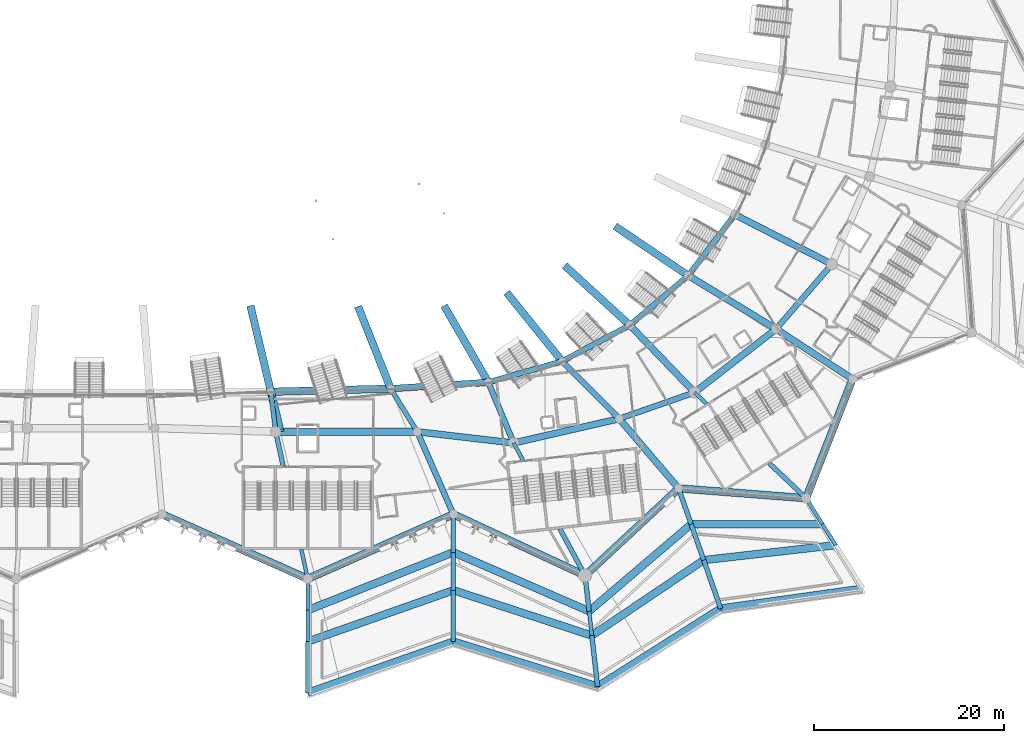
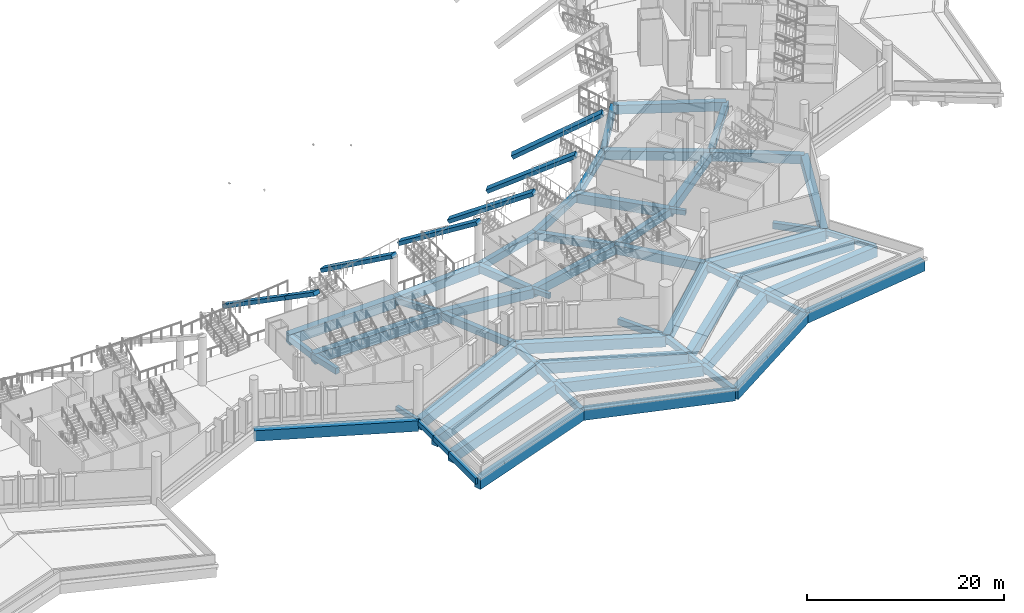
# One storey, part 12 of 173: 67 beams.
"""IFC4 building model written with IfcOpenShell, lengths in metres."""

from ifc_helpers import new_model, si_unit, direction, frame, origin, origin_2d, place, context, subcontext, project, spatial, rectangle, extrude, material, material_profile, profile_set, type_object, element, save


model = new_model("IFC4")

# Units and contexts
model_context = context("Model", 3, precision=1e-05, world=origin(), true_north=direction((0.0, 1.0)))
body_context = subcontext(model_context, "Body", "Model", "MODEL_VIEW")
ifc_project = project(units=[si_unit("LENGTHUNIT", "METRE"), si_unit("AREAUNIT", "SQUARE_METRE"), si_unit("VOLUMEUNIT", "CUBIC_METRE"), si_unit("PLANEANGLEUNIT", "RADIAN"), si_unit("MASSUNIT", "GRAM", prefix="KILO")], contexts=[model_context])

# Site, building, storey
site_placement = place(None, origin())
site = spatial("IfcSite", under=ifc_project, at=site_placement, CompositionType="ELEMENT")
building_placement = place(site_placement, origin())
building = spatial("IfcBuilding", under=site, at=building_placement, Name="Meseta Stadium", CompositionType="ELEMENT")
storey_placement = place(building_placement, frame((0.0, 0.0, 18.0)))
storey = spatial("IfcBuildingStorey", under=building, at=storey_placement, Name="L03", CompositionType="ELEMENT", Elevation=18.0)

# Beams
ifc_material_1 = material(Name="Concrete C40/50", Category="concrete")
ifc_material_profile_1 = material_profile(ifc_material_1, rectangle(XDim=0.39990234375, YDim=0.60009765625, at=origin_2d()), Name="RC 400x600")
ifc_profile_set_1 = profile_set([ifc_material_profile_1], Name="Concrete C40/50")
beam_type_1 = type_object("IfcBeamType", Name="RC beam 400x600", PredefinedType="BEAM", material=ifc_profile_set_1)
beam_1_placement = place(storey_placement, frame((22.3251953125, -102.300048828125, -0.64990234375), z_axis=(0.212707595725, -0.977115898305, 0.0), x_axis=(0.977115898305, 0.212707595725, 0.0)))
element("IfcBeam", 1, at=beam_1_placement, inside=storey, type_object=beam_type_1, Name="L03 radial beam frame 48 line P to R", PredefinedType="BEAM", context=body_context, shape_type="SweptSolid", body=[
    extrude(rectangle(XDim=0.39990234375, YDim=0.60009765625, at=origin_2d()), origin(), (0.0, 0.0, 1.0), 3.17236328125),
])
beam_2_placement = place(storey_placement, frame((44.6826171875, -91.0908203125, -0.64990234375), z_axis=(0.474170370951, -0.880433108937, 0.0), x_axis=(0.880433108937, 0.474170370951, 0.0)))
element("IfcBeam", 2, at=beam_2_placement, inside=storey, type_object=beam_type_1, Name="L03 radial beam frame 50 line P to R", PredefinedType="BEAM", context=body_context, shape_type="SweptSolid", body=[
    extrude(rectangle(XDim=0.39990234375, YDim=0.60009765625, at=origin_2d()), origin(), (0.0, 0.0, 1.0), 2.063720703125),
])
beam_3_placement = place(storey_placement, frame((63.731201171875, -85.77099609375, -0.64990234375), z_axis=(0.725600801439, -0.688115889187, 0.0), x_axis=(0.688115889187, 0.725600801439, 0.0)))
element("IfcBeam", 3, at=beam_3_placement, inside=storey, type_object=beam_type_1, Name="L03 radial beam frame 52 line P to R", PredefinedType="BEAM", context=body_context, shape_type="SweptSolid", body=[
    extrude(rectangle(XDim=0.39990234375, YDim=0.60009765625, at=origin_2d()), origin(), (0.0, 0.0, 1.0), 1.732421875),
])
for number, where, z_axis, x_axis, name in (
    (4, (23.0, -105.39990234375, -0.699951171875), (0.0, -1.0, 0.0), (1.0, 0.0, 0.0), "L03 radial beam frame 48 line R to M"),
    (5, (23.0, -108.699951171875, -0.699951171875), (0.0, -1.0, 0.0), (1.0, 0.0, 0.0), "L03 radial beam frame 48 line M to Q"),
):
    element("IfcBeam", number, at=place(storey_placement, frame(where, z_axis=z_axis, x_axis=x_axis)), inside=storey, type_object=beam_type_1, Name=name, PredefinedType="BEAM", context=body_context, shape_type="SweptSolid", body=[
        extrude(rectangle(XDim=0.39990234375, YDim=0.60009765625, at=origin_2d()), origin(), (0.0, 0.0, 1.0), 3.300048828125),
    ])
beam_4_placement = place(storey_placement, frame((52.626220703125, -108.80810546875, -0.699951171875), z_axis=(0.111926742176, -0.99371646076, 0.0), x_axis=(0.99371646076, 0.111926742176, 0.0)))
element("IfcBeam", 6, at=beam_4_placement, inside=storey, type_object=beam_type_1, Name="L03 radial beam frame 50 line M to Q", PredefinedType="BEAM", context=body_context, shape_type="SweptSolid", body=[
    extrude(rectangle(XDim=0.39990234375, YDim=0.60009765625, at=origin_2d()), origin(), (0.0, 0.0, 1.0), 2.580322265625),
])
beam_5_placement = place(storey_placement, frame((75.474609375, -96.908447265625, -0.699951171875), z_axis=(0.532008453304, -0.846739042216, 0.0), x_axis=(0.846739042216, 0.532008453304, 0.0)))
element("IfcBeam", 7, at=beam_5_placement, inside=storey, type_object=beam_type_1, Name="L03 radial beam frame 52 line R to M", PredefinedType="BEAM", context=body_context, shape_type="SweptSolid", body=[
    extrude(rectangle(XDim=0.39990234375, YDim=0.60009765625, at=origin_2d()), origin(), (0.0, 0.0, 1.0), 3.21923828125),
])
beam_6_placement = place(storey_placement, frame((77.187255859375, -99.63427734375, -0.699951171875), z_axis=(0.532083725107, -0.84669174407, 0.0), x_axis=(0.84669174407, 0.532083725107, 0.0)))
element("IfcBeam", 8, at=beam_6_placement, inside=storey, type_object=beam_type_1, Name="L03 radial beam frame 52 line M to Q", PredefinedType="BEAM", context=body_context, shape_type="SweptSolid", body=[
    extrude(rectangle(XDim=0.39990234375, YDim=0.60009765625, at=origin_2d()), origin(), (0.0, 0.0, 1.0), 2.619140625),
])
ifc_material_2 = material(Name="Concrete C40/50", Category="concrete")
ifc_material_profile_2 = material_profile(ifc_material_2, rectangle(XDim=0.5, YDim=0.75, at=origin_2d()), Name="RC 500x750")
ifc_profile_set_2 = profile_set([ifc_material_profile_2], Name="Concrete C40/50")
beam_type_2 = type_object("IfcBeamType", Name="RC beam 500x750", PredefinedType="BEAM", material=ifc_profile_set_2)
beam_7_placement = place(storey_placement, frame((19.11865234375, -85.6982421875, -0.72509765625), z_axis=(0.120104176055, -0.992761294015, 0.0), x_axis=(0.992761294015, 0.120104176055, 0.0)))
element("IfcBeam", 9, at=beam_7_placement, inside=storey, type_object=beam_type_2, Name="L03 radial beam frame 48 line E to P", PredefinedType="BEAM", context=body_context, shape_type="SweptSolid", body=[
    extrude(rectangle(XDim=0.5, YDim=0.75, at=origin_2d()), origin(), (0.0, 0.0, 1.0), 4.236328125),
])
beam_8_placement = place(storey_placement, frame((19.62744140625, -89.90380859375, -0.72509765625), z_axis=(0.212671990307, -0.977123648541, 0.0), x_axis=(0.977123648541, 0.212671990307, 0.0)))
element("IfcBeam", 10, at=beam_8_placement, inside=storey, type_object=beam_type_2, Name="L03 radial beam frame 48 line P to R", PredefinedType="BEAM", context=body_context, shape_type="SweptSolid", body=[
    extrude(rectangle(XDim=0.5, YDim=0.75, at=origin_2d()), origin(), (0.0, 0.0, 1.0), 3.680419921875),
])
beam_9_placement = place(storey_placement, frame((31.73681640625, -85.376708984375, -0.72509765625), z_axis=(0.52451674702, -0.85140013043, 0.0), x_axis=(0.85140013043, 0.52451674702, 0.0)))
element("IfcBeam", 11, at=beam_9_placement, inside=storey, type_object=beam_type_2, Name="L03 radial beam frame 49 line E to P", PredefinedType="BEAM", context=body_context, shape_type="SweptSolid", body=[
    extrude(rectangle(XDim=0.5, YDim=0.75, at=origin_2d()), origin(), (0.0, 0.0, 1.0), 5.32666015625),
])
beam_10_placement = place(storey_placement, frame((49.54541015625, -100.1181640625, -0.72509765625), z_axis=(0.474227121741, -0.880402542594, 0.0), x_axis=(0.880402542594, 0.474227121741, 0.0)))
element("IfcBeam", 12, at=beam_10_placement, inside=storey, type_object=beam_type_2, Name="L03 radial beam frame 50 line P to R", PredefinedType="BEAM", context=body_context, shape_type="SweptSolid", body=[
    extrude(rectangle(XDim=0.5, YDim=0.75, at=origin_2d()), origin(), (0.0, 0.0, 1.0), 5.603759765625),
])
beam_11_placement = place(storey_placement, frame((71.57958984375, -93.214599609375, -0.72509765625), z_axis=(0.725596444109, -0.688120483852, 0.0), x_axis=(0.688120483852, 0.725596444109, 0.0)))
element("IfcBeam", 13, at=beam_11_placement, inside=storey, type_object=beam_type_2, Name="L03 radial beam frame 52 line P to R", PredefinedType="BEAM", context=body_context, shape_type="SweptSolid", body=[
    extrude(rectangle(XDim=0.5, YDim=0.75, at=origin_2d()), origin(), (0.0, 0.0, 1.0), 5.367919921875),
])
beam_12_placement = place(storey_placement, frame((23.0, -112.0, -0.77490234375), z_axis=(0.0, -1.0, 0.0), x_axis=(1.0, 0.0, 0.0)))
element("IfcBeam", 14, at=beam_12_placement, inside=storey, type_object=beam_type_2, Name="L03 radial beam frame 48 line Q to O", PredefinedType="BEAM", context=body_context, shape_type="SweptSolid", body=[
    extrude(rectangle(XDim=0.5, YDim=0.75, at=origin_2d()), origin(), (0.0, 0.0, 1.0), 5.39990234375),
])
for number, where, z_axis, x_axis, name in (
    (15, (38.333251953125, -98.60009765625, -0.77490234375), (0.0, -1.0, 0.0), (1.0, 0.0, 0.0), "L03 radial beam frame 49 line R to M"),
    (16, (38.333251953125, -102.60009765625, -0.77490234375), (0.0, -1.0, 0.0), (1.0, 0.0, 0.0), "L03 radial beam frame 49 line M to Q"),
):
    element("IfcBeam", number, at=place(storey_placement, frame(where, z_axis=z_axis, x_axis=x_axis)), inside=storey, type_object=beam_type_2, Name=name, PredefinedType="BEAM", context=body_context, shape_type="SweptSolid", body=[
        extrude(rectangle(XDim=0.5, YDim=0.75, at=origin_2d()), origin(), (0.0, 0.0, 1.0), 4.0),
    ])
beam_13_placement = place(storey_placement, frame((38.333251953125, -106.60009765625, -0.77490234375), z_axis=(0.0, -1.0, 0.0), x_axis=(1.0, 0.0, 0.0)))
element("IfcBeam", 17, at=beam_13_placement, inside=storey, type_object=beam_type_2, Name="L03 radial beam frame 49 line Q to O", PredefinedType="BEAM", context=body_context, shape_type="SweptSolid", body=[
    extrude(rectangle(XDim=0.5, YDim=0.75, at=origin_2d()), origin(), (0.0, 0.0, 1.0), 5.39990234375),
])
beam_14_placement = place(storey_placement, frame((52.202880859375, -105.0517578125, -0.77490234375), z_axis=(0.111990888536, -0.993709233571, 0.0), x_axis=(0.993709233571, 0.111990888536, 0.0)))
element("IfcBeam", 18, at=beam_14_placement, inside=storey, type_object=beam_type_2, Name="L03 radial beam frame 50 line R to M", PredefinedType="BEAM", context=body_context, shape_type="SweptSolid", body=[
    extrude(rectangle(XDim=0.5, YDim=0.75, at=origin_2d()), origin(), (0.0, 0.0, 1.0), 3.780029296875),
])
beam_15_placement = place(storey_placement, frame((52.9150390625, -111.372314453125, -0.77490234375), z_axis=(0.111944897098, -0.993714415722, 0.0), x_axis=(0.993714415722, 0.111944897098, 0.0)))
element("IfcBeam", 19, at=beam_15_placement, inside=storey, type_object=beam_type_2, Name="L03 radial beam frame 50 line Q to O", PredefinedType="BEAM", context=body_context, shape_type="SweptSolid", body=[
    extrude(rectangle(XDim=0.5, YDim=0.75, at=origin_2d()), origin(), (0.0, 0.0, 1.0), 5.39990234375),
])
for number, where, z_axis, x_axis, name in (
    (20, (62.051513671875, -95.872802734375, -0.77490234375), (0.330328674497, -0.943865968666, 0.0), (0.943865968666, 0.330328674497, 0.0), "L03 radial beam frame 51 line R to M"),
    (21, (63.372802734375, -99.648193359375, -0.77490234375), (0.330255269735, -0.94389165523, 0.0), (0.94389165523, 0.330255269735, 0.0), "L03 radial beam frame 51 line M to Q"),
):
    element("IfcBeam", number, at=place(storey_placement, frame(where, z_axis=z_axis, x_axis=x_axis)), inside=storey, type_object=beam_type_2, Name=name, PredefinedType="BEAM", context=body_context, shape_type="SweptSolid", body=[
        extrude(rectangle(XDim=0.5, YDim=0.75, at=origin_2d()), origin(), (0.0, 0.0, 1.0), 4.0),
    ])
beam_16_placement = place(storey_placement, frame((64.69384765625, -103.423828125, -0.77490234375), z_axis=(0.330271882003, -0.943885842652, 0.0), x_axis=(0.943885842652, 0.330271882003, 0.0)))
element("IfcBeam", 22, at=beam_16_placement, inside=storey, type_object=beam_type_2, Name="L03 radial beam frame 51 line Q to O", PredefinedType="BEAM", context=body_context, shape_type="SweptSolid", body=[
    extrude(rectangle(XDim=0.5, YDim=0.75, at=origin_2d()), origin(), (0.0, 0.0, 1.0), 5.39990234375),
])
ifc_material_3 = material(Name="Concrete C40/50", Category="concrete")
ifc_material_profile_3 = material_profile(ifc_material_3, rectangle(XDim=0.60009765625, YDim=0.89990234375, at=origin_2d()), Name="RC 600x900")
ifc_profile_set_3 = profile_set([ifc_material_profile_3], Name="Concrete C40/50")
beam_type_3 = type_object("IfcBeamType", Name="RC beam 600x900", PredefinedType="BEAM", material=ifc_profile_set_3)
beam_17_placement = place(storey_placement, frame((42.015380859375, -84.707275390625, -0.800048828125), z_axis=(0.961951325549, 0.273220876351, 0.0), x_axis=(-0.273220876351, 0.961951325549, 0.0)))
element("IfcBeam", 23, at=beam_17_placement, inside=storey, type_object=beam_type_3, Name="L03 ring beam frame 50 line E", PredefinedType="BEAM", context=body_context, shape_type="SweptSolid", body=[
    extrude(rectangle(XDim=0.60009765625, YDim=0.89990234375, at=origin_2d()), origin(), (0.0, 0.0, 1.0), 8.083251953125),
])
beam_18_placement = place(storey_placement, frame((49.791015625, -82.498779296875, -0.800048828125), z_axis=(0.882172948557, 0.47092556613, 0.0), x_axis=(-0.47092556613, 0.882172948557, 0.0)))
element("IfcBeam", 24, at=beam_18_placement, inside=storey, type_object=beam_type_3, Name="L03 ring beam frame 51 line E", PredefinedType="BEAM", context=body_context, shape_type="SweptSolid", body=[
    extrude(rectangle(XDim=0.60009765625, YDim=0.89990234375, at=origin_2d()), origin(), (0.0, 0.0, 1.0), 8.075439453125),
])
beam_19_placement = place(storey_placement, frame((55.799560546875, -88.541748046875, -0.800048828125), z_axis=(0.944055708451, 0.329786020537, 0.0), x_axis=(-0.329786020537, 0.944055708451, 0.0)))
element("IfcBeam", 25, at=beam_19_placement, inside=storey, type_object=beam_type_3, Name="L03 ring beam frame 51 line P", PredefinedType="BEAM", context=body_context, shape_type="SweptSolid", body=[
    extrude(rectangle(XDim=0.60009765625, YDim=0.89990234375, at=origin_2d()), origin(), (0.0, 0.0, 1.0), 8.401611328125),
])
beam_20_placement = place(storey_placement, frame((56.9150390625, -78.69580078125, -0.800048828125), z_axis=(0.762201166724, 0.647340236231, 0.0), x_axis=(-0.647340236231, 0.762201166724, 0.0)))
element("IfcBeam", 26, at=beam_20_placement, inside=storey, type_object=beam_type_3, Name="L03 ring beam frame 52 line E", PredefinedType="BEAM", context=body_context, shape_type="SweptSolid", body=[
    extrude(rectangle(XDim=0.60009765625, YDim=0.89990234375, at=origin_2d()), origin(), (0.0, 0.0, 1.0), 8.07275390625),
])
beam_21_placement = place(storey_placement, frame((63.068115234375, -73.469970703125, -0.800048828125), z_axis=(0.607521948786, 0.794302890428, 0.0), x_axis=(-0.794302890428, 0.607521948786, 0.0)))
element("IfcBeam", 27, at=beam_21_placement, inside=storey, type_object=beam_type_3, Name="L03 ring beam frame 53 line E", PredefinedType="BEAM", context=body_context, shape_type="SweptSolid", body=[
    extrude(rectangle(XDim=0.60009765625, YDim=0.89990234375, at=origin_2d()), origin(), (0.0, 0.0, 1.0), 8.072509765625),
])
beam_22_placement = place(storey_placement, frame((72.31201171875, -79.091064453125, -0.800048828125), z_axis=(0.653414508663, 0.757000316954, 0.0), x_axis=(-0.757000316954, 0.653414508663, 0.0)))
element("IfcBeam", 28, at=beam_22_placement, inside=storey, type_object=beam_type_3, Name="L03 ring beam frame 53 line P", PredefinedType="BEAM", context=body_context, shape_type="SweptSolid", body=[
    extrude(rectangle(XDim=0.60009765625, YDim=0.89990234375, at=origin_2d()), origin(), (0.0, 0.0, 1.0), 9.008056640625),
])
beam_23_placement = place(storey_placement, frame((34.53076171875, -89.911865234375, -0.800048828125), z_axis=(0.4009417199, -0.91610356251, 0.0), x_axis=(0.91610356251, 0.4009417199, 0.0)))
element("IfcBeam", 29, at=beam_23_placement, inside=storey, type_object=beam_type_3, Name="L03 radial beam frame 49 line P to R", PredefinedType="BEAM", context=body_context, shape_type="SweptSolid", body=[
    extrude(rectangle(XDim=0.60009765625, YDim=0.89990234375, at=origin_2d()), origin(), (0.0, 0.0, 1.0), 9.48388671875),
])
beam_24_placement = place(storey_placement, frame((42.015380859375, -84.707275390625, -0.800048828125), z_axis=(0.385529780444, -0.922695393069, 0.0), x_axis=(0.922695393069, 0.385529780444, 0.0)))
element("IfcBeam", 30, at=beam_24_placement, inside=storey, type_object=beam_type_3, Name="L03 radial beam frame 50 line E to P", PredefinedType="BEAM", context=body_context, shape_type="SweptSolid", body=[
    extrude(rectangle(XDim=0.60009765625, YDim=0.89990234375, at=origin_2d()), origin(), (0.0, 0.0, 1.0), 6.91845703125),
])
beam_25_placement = place(storey_placement, frame((49.791015625, -82.498779296875, -0.800048828125), z_axis=(0.705084131782, -0.709123661366, 0.0), x_axis=(0.709123661366, 0.705084131782, 0.0)))
element("IfcBeam", 31, at=beam_25_placement, inside=storey, type_object=beam_type_3, Name="L03 radial beam frame 51 line E to P", PredefinedType="BEAM", context=body_context, shape_type="SweptSolid", body=[
    extrude(rectangle(XDim=0.60009765625, YDim=0.89990234375, at=origin_2d()), origin(), (0.0, 0.0, 1.0), 8.521728515625),
])
ifc_material_4 = material(Name="Concrete C40/50", Category="concrete")
ifc_material_profile_4 = material_profile(ifc_material_4, rectangle(XDim=0.699951171875, YDim=1.10009765625, at=origin_2d()), Name="RC 700x1100")
ifc_profile_set_4 = profile_set([ifc_material_profile_4], Name="Concrete C40/50")
beam_type_4 = type_object("IfcBeamType", Name="RC beam 700x1100", PredefinedType="BEAM", material=ifc_profile_set_4)
beam_26_placement = place(storey_placement, frame((31.73681640625, -85.376708984375, -0.89990234375), z_axis=(0.997885824096, 0.064991399959, 0.0), x_axis=(-0.064991399959, 0.997885824096, 0.0)))
element("IfcBeam", 32, at=beam_26_placement, inside=storey, type_object=beam_type_4, Name="L03 ring beam frame 49 line E", PredefinedType="BEAM", context=body_context, shape_type="SweptSolid", body=[
    extrude(rectangle(XDim=0.699951171875, YDim=1.10009765625, at=origin_2d()), origin(), (0.0, 0.0, 1.0), 10.30029296875),
])
beam_27_placement = place(storey_placement, frame((34.53076171875, -89.911865234375, -0.89990234375), z_axis=(0.993324132456, -0.115356698466, 0.0), x_axis=(0.115356698466, 0.993324132456, 0.0)))
element("IfcBeam", 33, at=beam_27_placement, inside=storey, type_object=beam_type_4, Name="L03 ring beam frame 49 line P", PredefinedType="BEAM", context=body_context, shape_type="SweptSolid", body=[
    extrude(rectangle(XDim=0.699951171875, YDim=1.10009765625, at=origin_2d()), origin(), (0.0, 0.0, 1.0), 10.219970703125),
])
beam_28_placement = place(storey_placement, frame((44.6826171875, -91.0908203125, -0.89990234375), z_axis=(0.974704832518, 0.22349606141, 0.0), x_axis=(-0.22349606141, 0.974704832518, 0.0)))
element("IfcBeam", 34, at=beam_28_placement, inside=storey, type_object=beam_type_4, Name="L03 ring beam frame 50 line P", PredefinedType="BEAM", context=body_context, shape_type="SweptSolid", body=[
    extrude(rectangle(XDim=0.699951171875, YDim=1.10009765625, at=origin_2d()), origin(), (0.0, 0.0, 1.0), 11.405517578125),
])
beam_29_placement = place(storey_placement, frame((63.731201171875, -85.77099609375, -0.89990234375), z_axis=(0.789086185012, 0.614282502293, 0.0), x_axis=(-0.614282502293, 0.789086185012, 0.0)))
element("IfcBeam", 35, at=beam_29_placement, inside=storey, type_object=beam_type_4, Name="L03 ring beam frame 52 line P", PredefinedType="BEAM", context=body_context, shape_type="SweptSolid", body=[
    extrude(rectangle(XDim=0.699951171875, YDim=1.10009765625, at=origin_2d()), origin(), (0.0, 0.0, 1.0), 10.874267578125),
])
beam_30_placement = place(storey_placement, frame((55.799560546875, -88.541748046875, -0.89990234375), z_axis=(0.648886206148, -0.760885465409, 0.0), x_axis=(0.760885465409, 0.648886206148, 0.0)))
element("IfcBeam", 36, at=beam_30_placement, inside=storey, type_object=beam_type_4, Name="L03 radial beam frame 51 line P to R", PredefinedType="BEAM", context=body_context, shape_type="SweptSolid", body=[
    extrude(rectangle(XDim=0.699951171875, YDim=1.10009765625, at=origin_2d()), origin(), (0.0, 0.0, 1.0), 9.635009765625),
])
beam_31_placement = place(storey_placement, frame((56.9150390625, -78.69580078125, -0.89990234375), z_axis=(0.69380069558, -0.72016706035, 0.0), x_axis=(0.72016706035, 0.69380069558, 0.0)))
element("IfcBeam", 37, at=beam_31_placement, inside=storey, type_object=beam_type_4, Name="L03 radial beam frame 52 line E to P", PredefinedType="BEAM", context=body_context, shape_type="SweptSolid", body=[
    extrude(rectangle(XDim=0.699951171875, YDim=1.10009765625, at=origin_2d()), origin(), (0.0, 0.0, 1.0), 9.824462890625),
])
beam_32_placement = place(storey_placement, frame((63.068115234375, -73.469970703125, -0.89990234375), z_axis=(0.854429426189, -0.519567469788, 0.0), x_axis=(0.519567469788, 0.854429426189, 0.0)))
element("IfcBeam", 38, at=beam_32_placement, inside=storey, type_object=beam_type_4, Name="L03 radial beam frame 53 line E to P", PredefinedType="BEAM", context=body_context, shape_type="SweptSolid", body=[
    extrude(rectangle(XDim=0.699951171875, YDim=1.10009765625, at=origin_2d()), origin(), (0.0, 0.0, 1.0), 10.81884765625),
])
beam_33_placement = place(storey_placement, frame((72.31201171875, -79.091064453125, -0.89990234375), z_axis=(0.836556122728, -0.547881240349, 0.0), x_axis=(0.547881240349, 0.836556122728, 0.0)))
element("IfcBeam", 39, at=beam_33_placement, inside=storey, type_object=beam_type_4, Name="L03 radial beam frame 53 line P to R", PredefinedType="BEAM", context=body_context, shape_type="SweptSolid", body=[
    extrude(rectangle(XDim=0.699951171875, YDim=1.10009765625, at=origin_2d()), origin(), (0.0, 0.0, 1.0), 9.626953125),
])
beam_34_placement = place(storey_placement, frame((67.972412109375, -67.057861328125, -0.89990234375), z_axis=(0.890868510984, -0.454261264184, 0.0), x_axis=(0.454261264184, 0.890868510984, 0.0)))
element("IfcBeam", 40, at=beam_34_placement, inside=storey, type_object=beam_type_4, Name="L03 radial beam frame 54 line E to P", PredefinedType="BEAM", context=body_context, shape_type="SweptSolid", body=[
    extrude(rectangle(XDim=0.699951171875, YDim=1.10009765625, at=origin_2d()), origin(), (0.0, 0.0, 1.0), 11.478271484375),
])
ifc_material_5 = material(Name="Concrete C40/50", Category="concrete")
ifc_material_profile_5 = material_profile(ifc_material_5, rectangle(XDim=0.800048828125, YDim=1.300048828125, at=origin_2d()), Name="RC 800x1300")
ifc_profile_set_5 = profile_set([ifc_material_profile_5], Name="Concrete C40/50")
beam_type_5 = type_object("IfcBeamType", Name="RC beam 800x1300", PredefinedType="BEAM", material=ifc_profile_set_5)
beam_35_placement = place(storey_placement, frame((7.666748046875, -98.60009765625, -1.0), z_axis=(0.914142564088, -0.405392861953, 0.0), x_axis=(0.405392861953, 0.914142564088, 0.0)))
element("IfcBeam", 41, at=beam_35_placement, inside=storey, type_object=beam_type_5, Name="L03 ring beam frame 47 line R", PredefinedType="BEAM", context=body_context, shape_type="SweptSolid", body=[
    extrude(rectangle(XDim=0.800048828125, YDim=1.300048828125, at=origin_2d()), origin(), (0.0, 0.0, 1.0), 16.7734375),
])
beam_36_placement = place(storey_placement, frame((19.11865234375, -85.6982421875, -1.0), z_axis=(0.999675497622, 0.02547350496, 0.0), x_axis=(-0.02547350496, 0.999675497622, 0.0)))
element("IfcBeam", 42, at=beam_36_placement, inside=storey, type_object=beam_type_5, Name="L03 ring beam frame 48 line E", PredefinedType="BEAM", context=body_context, shape_type="SweptSolid", body=[
    extrude(rectangle(XDim=0.800048828125, YDim=1.300048828125, at=origin_2d()), origin(), (0.0, 0.0, 1.0), 12.622314453125),
])
beam_37_placement = place(storey_placement, frame((19.62744140625, -89.90380859375, -1.0), z_axis=(0.999999853879, -0.000540593591, 0.0), x_axis=(0.000540593591, 0.999999853879, 0.0)))
element("IfcBeam", 43, at=beam_37_placement, inside=storey, type_object=beam_type_5, Name="L03 ring beam frame 48 line P", PredefinedType="BEAM", context=body_context, shape_type="SweptSolid", body=[
    extrude(rectangle(XDim=0.800048828125, YDim=1.300048828125, at=origin_2d()), origin(), (0.0, 0.0, 1.0), 14.9033203125),
])
beam_38_placement = place(storey_placement, frame((23.0, -105.39990234375, -1.0), z_axis=(0.914142564088, 0.405392861953, 0.0), x_axis=(-0.405392861953, 0.914142564088, 0.0)))
element("IfcBeam", 44, at=beam_38_placement, inside=storey, type_object=beam_type_5, Name="L03 ring beam frame 48 line R", PredefinedType="BEAM", context=body_context, shape_type="SweptSolid", body=[
    extrude(rectangle(XDim=0.800048828125, YDim=1.300048828125, at=origin_2d()), origin(), (0.0, 0.0, 1.0), 16.7734375),
])
beam_39_placement = place(storey_placement, frame((38.333251953125, -98.60009765625, -1.0), z_axis=(0.906704363154, -0.421766757625, 0.0), x_axis=(0.421766757625, 0.906704363154, 0.0)))
element("IfcBeam", 45, at=beam_39_placement, inside=storey, type_object=beam_type_5, Name="L03 ring beam frame 49 line R", PredefinedType="BEAM", context=body_context, shape_type="SweptSolid", body=[
    extrude(rectangle(XDim=0.800048828125, YDim=1.300048828125, at=origin_2d()), origin(), (0.0, 0.0, 1.0), 15.296630859375),
])
for number, where, z_axis, x_axis, name in (
    (46, (52.202880859375, -105.0517578125, -1.0), (0.73154053301, 0.681797952889, 0.0), (-0.681797952889, 0.73154053301, 0.0), "L03 ring beam frame 50 line R"),
    (47, (62.051513671875, -95.872802734375, -1.0), (0.997036858399, -0.076925307894, 0.0), (0.076925307894, 0.997036858399, 0.0), "L03 ring beam frame 51 line R"),
    (48, (75.474609375, -96.908447265625, -1.0), (0.363287980868, 0.93167689837, 0.0), (-0.93167689837, 0.363287980868, 0.0), "L03 ring beam frame 52 line R"),
):
    element("IfcBeam", number, at=place(storey_placement, frame(where, z_axis=z_axis, x_axis=x_axis)), inside=storey, type_object=beam_type_5, Name=name, PredefinedType="BEAM", context=body_context, shape_type="SweptSolid", body=[
        extrude(rectangle(XDim=0.800048828125, YDim=1.300048828125, at=origin_2d()), origin(), (0.0, 0.0, 1.0), 13.462890625),
    ])
beam_40_placement = place(storey_placement, frame((23.0, -108.699951171875, -1.050048828125), z_axis=(0.929173963419, 0.369642727108, 0.0), x_axis=(-0.369642727108, 0.929173963419, 0.0)))
element("IfcBeam", 49, at=beam_40_placement, inside=storey, type_object=beam_type_5, Name="L03 ring beam frame 48 line M", PredefinedType="BEAM", context=body_context, shape_type="SweptSolid", body=[
    extrude(rectangle(XDim=0.800048828125, YDim=1.300048828125, at=origin_2d()), origin(), (0.0, 0.0, 1.0), 16.501953125),
])
for number, where, z_axis, x_axis, name in (
    (50, (23.0, -112.0, -1.050048828125), (0.943218573019, 0.332172731439, 0.0), (-0.332172731439, 0.943218573019, 0.0), "L03 ring beam frame 48 line Q"),
    (51, (23.0, -117.39990234375, -1.050048828125), (0.943218573019, 0.332172731439, 0.0), (-0.332172731439, 0.943218573019, 0.0), "L03 ring beam frame 48 line O"),
):
    element("IfcBeam", number, at=place(storey_placement, frame(where, z_axis=z_axis, x_axis=x_axis)), inside=storey, type_object=beam_type_5, Name=name, PredefinedType="BEAM", context=body_context, shape_type="SweptSolid", body=[
        extrude(rectangle(XDim=0.800048828125, YDim=1.300048828125, at=origin_2d()), origin(), (0.0, 0.0, 1.0), 16.25634765625),
    ])
beam_41_placement = place(storey_placement, frame((38.333251953125, -102.60009765625, -1.050048828125), z_axis=(0.917218444674, -0.398384644219, 0.0), x_axis=(0.398384644219, 0.917218444674, 0.0)))
element("IfcBeam", 52, at=beam_41_placement, inside=storey, type_object=beam_type_5, Name="L03 ring beam frame 49 line M", PredefinedType="BEAM", context=body_context, shape_type="SweptSolid", body=[
    extrude(rectangle(XDim=0.800048828125, YDim=1.300048828125, at=origin_2d()), origin(), (0.0, 0.0, 1.0), 15.5830078125),
])
beam_42_placement = place(storey_placement, frame((38.333251953125, -106.60009765625, -1.050048828125), z_axis=(0.950397214569, -0.311038799089, 0.0), x_axis=(0.311038799089, 0.950397214569, 0.0)))
element("IfcBeam", 53, at=beam_42_placement, inside=storey, type_object=beam_type_5, Name="L03 ring beam frame 49 line Q", PredefinedType="BEAM", context=body_context, shape_type="SweptSolid", body=[
    extrude(rectangle(XDim=0.800048828125, YDim=1.300048828125, at=origin_2d()), origin(), (0.0, 0.0, 1.0), 15.3427734375),
])
beam_43_placement = place(storey_placement, frame((38.333251953125, -112.0, -1.050048828125), z_axis=(0.954612869987, -0.297849405667, 0.0), x_axis=(0.297849405667, 0.954612869987, 0.0)))
element("IfcBeam", 54, at=beam_43_placement, inside=storey, type_object=beam_type_5, Name="L03 ring beam frame 49 line O", PredefinedType="BEAM", context=body_context, shape_type="SweptSolid", body=[
    extrude(rectangle(XDim=0.800048828125, YDim=1.300048828125, at=origin_2d()), origin(), (0.0, 0.0, 1.0), 15.908203125),
])
beam_44_placement = place(storey_placement, frame((52.626220703125, -108.80810546875, -1.050048828125), z_axis=(0.761053850743, 0.648688705212, 0.0), x_axis=(-0.648688705212, 0.761053850743, 0.0)))
element("IfcBeam", 55, at=beam_44_placement, inside=storey, type_object=beam_type_5, Name="L03 ring beam frame 50 line M", PredefinedType="BEAM", context=body_context, shape_type="SweptSolid", body=[
    extrude(rectangle(XDim=0.800048828125, YDim=1.300048828125, at=origin_2d()), origin(), (0.0, 0.0, 1.0), 14.12060546875),
])
beam_45_placement = place(storey_placement, frame((52.9150390625, -111.372314453125, -1.050048828125), z_axis=(0.828920770395, 0.559366030795, 0.0), x_axis=(-0.559366030795, 0.828920770395, 0.0)))
element("IfcBeam", 56, at=beam_45_placement, inside=storey, type_object=beam_type_5, Name="L03 ring beam frame 50 line Q", PredefinedType="BEAM", context=body_context, shape_type="SweptSolid", body=[
    extrude(rectangle(XDim=0.800048828125, YDim=1.300048828125, at=origin_2d()), origin(), (0.0, 0.0, 1.0), 14.209716796875),
])
beam_46_placement = place(storey_placement, frame((53.51953125, -116.73828125, -1.050048828125), z_axis=(0.844496467493, 0.535561122927, 0.0), x_axis=(-0.535561122927, 0.844496467493, 0.0)))
element("IfcBeam", 57, at=beam_46_placement, inside=storey, type_object=beam_type_5, Name="L03 ring beam frame 50 line O", PredefinedType="BEAM", context=body_context, shape_type="SweptSolid", body=[
    extrude(rectangle(XDim=0.800048828125, YDim=1.300048828125, at=origin_2d()), origin(), (0.0, 0.0, 1.0), 15.34375),
])
beam_47_placement = place(storey_placement, frame((63.372802734375, -99.648193359375, -1.050048828125), z_axis=(0.999999492621, 0.00100735139, 0.0), x_axis=(-0.00100735139, 0.999999492621, 0.0)))
element("IfcBeam", 58, at=beam_47_placement, inside=storey, type_object=beam_type_5, Name="L03 ring beam frame 51 line M", PredefinedType="BEAM", context=body_context, shape_type="SweptSolid", body=[
    extrude(rectangle(XDim=0.800048828125, YDim=1.300048828125, at=origin_2d()), origin(), (0.0, 0.0, 1.0), 13.814453125),
])
beam_48_placement = place(storey_placement, frame((64.69384765625, -103.423828125, -1.050048828125), z_axis=(0.993653668283, 0.112482832054, 0.0), x_axis=(-0.112482832054, 0.993653668283, 0.0)))
element("IfcBeam", 59, at=beam_48_placement, inside=storey, type_object=beam_type_5, Name="L03 ring beam frame 51 line Q", PredefinedType="BEAM", context=body_context, shape_type="SweptSolid", body=[
    extrude(rectangle(XDim=0.800048828125, YDim=1.300048828125, at=origin_2d()), origin(), (0.0, 0.0, 1.0), 13.9755859375),
])
beam_49_placement = place(storey_placement, frame((66.477294921875, -108.520751953125, -1.050048828125), z_axis=(0.990344007641, 0.138631693814, 0.0), x_axis=(-0.138631693814, 0.990344007641, 0.0)))
element("IfcBeam", 60, at=beam_49_placement, inside=storey, type_object=beam_type_5, Name="L03 ring beam frame 51 line O", PredefinedType="BEAM", context=body_context, shape_type="SweptSolid", body=[
    extrude(rectangle(XDim=0.800048828125, YDim=1.300048828125, at=origin_2d()), origin(), (0.0, 0.0, 1.0), 15.122314453125),
])
ifc_material_6 = material(Name="Concrete C40/50", Category="concrete")
ifc_material_profile_6 = material_profile(ifc_material_6, rectangle(XDim=0.800048828125, YDim=0.449951171875, at=origin_2d()), Name="RC 800x450")
ifc_profile_set_6 = profile_set([ifc_material_profile_6], Name="Concrete C40/50")
beam_type_6 = type_object("IfcBeamType", Name="RC raker upper rear 800x450", PredefinedType="USERDEFINED", material=ifc_profile_set_6)
beam_50_placement = place(storey_placement, frame((16.98779296875, -76.748291015625, -1.56396484375), z_axis=(0.196569020816, -0.825621417746, 0.528876067349), x_axis=(0.972808207748, 0.231612156284, 0.0)))
element("IfcBeam", 61, at=beam_50_placement, inside=storey, type_object=beam_type_6, Name="Raker upper rear frame 48 upper tier", ObjectType="RAKER", PredefinedType="USERDEFINED", context=body_context, shape_type="SweptSolid", body=[
    extrude(rectangle(XDim=0.800048828125, YDim=0.449951171875, at=origin_2d()), origin(), (0.0, 0.0, 1.0), 10.84033203125),
])
beam_51_placement = place(storey_placement, frame((19.11865234375, -85.6982421875, 4.169189453125), z_axis=(0.196566934135, -0.825610593672, 0.528893739821), x_axis=(0.972808077559, 0.231612703099, 0.0)))
element("IfcBeam", 62, at=beam_51_placement, inside=storey, type_object=beam_type_6, Name="Raker upper rear frame 48 upper tier", ObjectType="RAKER", PredefinedType="USERDEFINED", context=body_context, shape_type="SweptSolid", body=[
    extrude(rectangle(XDim=0.800048828125, YDim=0.449951171875, at=origin_2d()), origin(), (0.0, 0.0, 1.0), 4.970458984375),
])
for number, where, z_axis, x_axis, name in (
    (63, (28.343505859375, -76.825439453125, -1.033203125), (0.312995776054, -0.788761065694, 0.529045957756), (0.929492588518, 0.368840789351, 0.0), "Raker upper rear frame 49 upper tier"),
    (64, (37.41162109375, -76.7421875, -0.91259765625), (0.424649252816, -0.734697028855, 0.529049419123), (0.865784594888, 0.500416861481, 0.0), "Raker upper rear frame 50 upper tier"),
):
    element("IfcBeam", number, at=place(storey_placement, frame(where, z_axis=z_axis, x_axis=x_axis)), inside=storey, type_object=beam_type_6, Name=name, ObjectType="RAKER", PredefinedType="USERDEFINED", context=body_context, shape_type="SweptSolid", body=[
        extrude(rectangle(XDim=0.800048828125, YDim=0.449951171875, at=origin_2d()), origin(), (0.0, 0.0, 1.0), 10.84130859375),
    ])
beam_52_placement = place(storey_placement, frame((44.01318359375, -75.339599609375, -1.3212890625), z_axis=(0.532996151365, -0.66042335598, 0.528919742027), x_axis=(0.778184591749, 0.628035620936, 0.0)))
element("IfcBeam", 65, at=beam_52_placement, inside=storey, type_object=beam_type_6, Name="Raker upper rear frame 51 upper tier", ObjectType="RAKER", PredefinedType="USERDEFINED", context=body_context, shape_type="SweptSolid", body=[
    extrude(rectangle(XDim=0.800048828125, YDim=0.449951171875, at=origin_2d()), origin(), (0.0, 0.0, 1.0), 10.84033203125),
])
beam_53_placement = place(storey_placement, frame((50.12890625, -72.483642578125, -1.469482421875), z_axis=(0.625966379814, -0.573021820923, 0.528972668566), x_axis=(0.675224583095, 0.737612203251, 0.0)))
element("IfcBeam", 66, at=beam_53_placement, inside=storey, type_object=beam_type_6, Name="Raker upper rear frame 52 upper tier", ObjectType="RAKER", PredefinedType="USERDEFINED", context=body_context, shape_type="SweptSolid", body=[
    extrude(rectangle(XDim=0.800048828125, YDim=0.449951171875, at=origin_2d()), origin(), (0.0, 0.0, 1.0), 10.841064453125),
])
beam_54_placement = place(storey_placement, frame((55.443115234375, -68.322509765625, -1.62890625), z_axis=(0.703353322068, -0.474817541063, 0.529001329898), x_axis=(0.559516608619, 0.828819138702, 0.0)))
element("IfcBeam", 67, at=beam_54_placement, inside=storey, type_object=beam_type_6, Name="Raker upper rear frame 53 upper tier", ObjectType="RAKER", PredefinedType="USERDEFINED", context=body_context, shape_type="SweptSolid", body=[
    extrude(rectangle(XDim=0.800048828125, YDim=0.449951171875, at=origin_2d()), origin(), (0.0, 0.0, 1.0), 10.8408203125),
])

save(model, "model.ifc")
